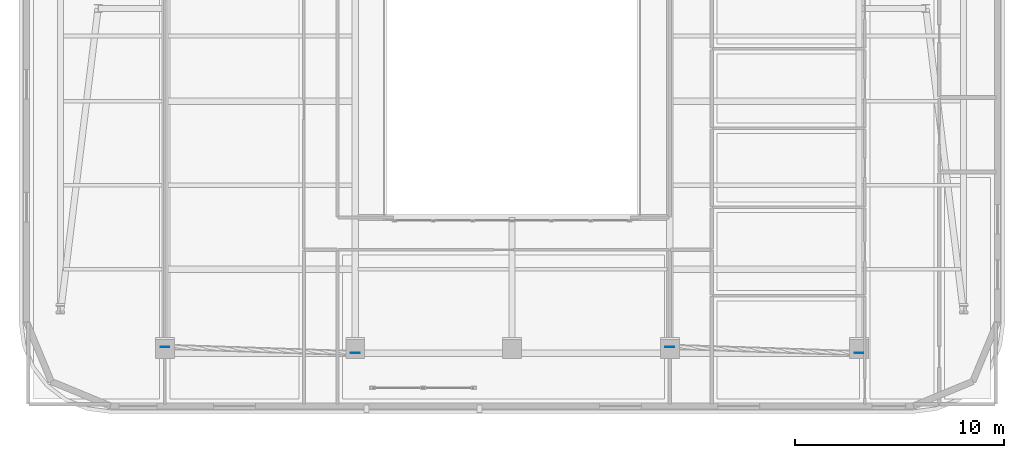
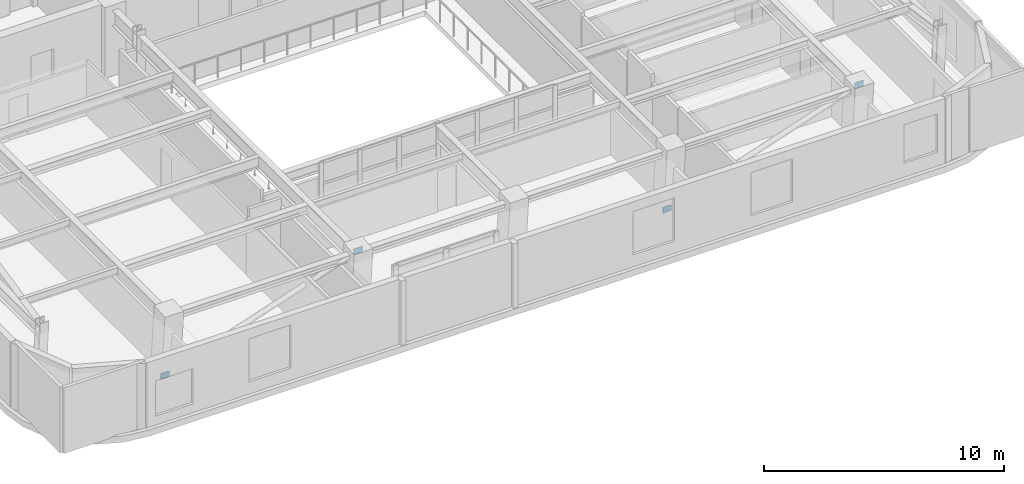
# One storey, part 5 of 13: 4 plates.
"""IFC4 building model written with IfcOpenShell, lengths in metres."""

from ifc_helpers import new_model, si_unit, direction, frame, origin, origin_2d, place, context, subcontext, project, spatial, rectangle, extrude, material, layer, layer_set, type_object, element, save


model = new_model("IFC4")

# Units and contexts
model_context = context("Model", 3, precision=1e-05, world=origin(), true_north=direction((0.0, 1.0)))
body_context = subcontext(model_context, "Body", "Model", "MODEL_VIEW")
ifc_project = project(units=[si_unit("LENGTHUNIT", "METRE"), si_unit("AREAUNIT", "SQUARE_METRE"), si_unit("VOLUMEUNIT", "CUBIC_METRE"), si_unit("PLANEANGLEUNIT", "RADIAN"), si_unit("MASSUNIT", "GRAM", prefix="KILO")], contexts=[model_context])

# Site, building, storey
site_placement = place(None, origin())
site = spatial("IfcSite", under=ifc_project, at=site_placement, CompositionType="ELEMENT")
building_placement = place(site_placement, origin())
building = spatial("IfcBuilding", under=site, at=building_placement, Name="Zarnavel Station Tower", CompositionType="ELEMENT")
storey_placement = place(building_placement, frame((0.0, 0.0, 207.60009765625)))
storey = spatial("IfcBuildingStorey", under=building, at=storey_placement, Name="L56", CompositionType="ELEMENT", Elevation=207.60009765625)

# Plates
ifc_material = material(Name="Steel S460M", Category="steel")
ifc_layer = layer(ifc_material, 0.02490234375)
ifc_layer_set = layer_set([ifc_layer], Name="GP_GUSSET_25")
plate_type = type_object("IfcPlateType", Name="GP_GUSSET_25", PredefinedType="USERDEFINED", material=ifc_layer_set)
for number, where, z_axis, x_axis, name in (
    (1, (12.199951171875, 7.415283203125, -0.14990234375), (0.0, 0.0, 1.0), (1.0, 0.0, 0.0), "L56 Exterior Diagonal Brace End Gusset 1-1"),
    (2, (21.300048828125, 7.112548828125, 3.18994140625), (0.0, 0.0, 1.0), (1.0, 0.0, 0.0), "L56 Exterior Diagonal Brace End Gusset 1-2"),
    (3, (36.35009765625, 7.415283203125, -0.14990234375), (0.0, 0.0, 1.0), (1.0, 0.0, 0.0), "L56 Exterior Diagonal Brace End Gusset 2-1"),
    (4, (45.39990234375, 7.112548828125, 3.18994140625), (0.0, 0.0, 1.0), (1.0, 0.0, 0.0), "L56 Exterior Diagonal Brace End Gusset 2-2"),
):
    element("IfcPlate", number, at=place(storey_placement, frame(where, z_axis=z_axis, x_axis=x_axis)), inside=storey, type_object=plate_type, Name=name, ObjectType="GUSSET_PLATE", PredefinedType="USERDEFINED", context=body_context, shape_type="SweptSolid", body=[
        extrude(rectangle(XDim=0.419921875, YDim=0.02490234375, at=origin_2d()), origin(), (0.0, 0.0, 1.0), 0.300048828125),
    ])

save(model, "model.ifc")
